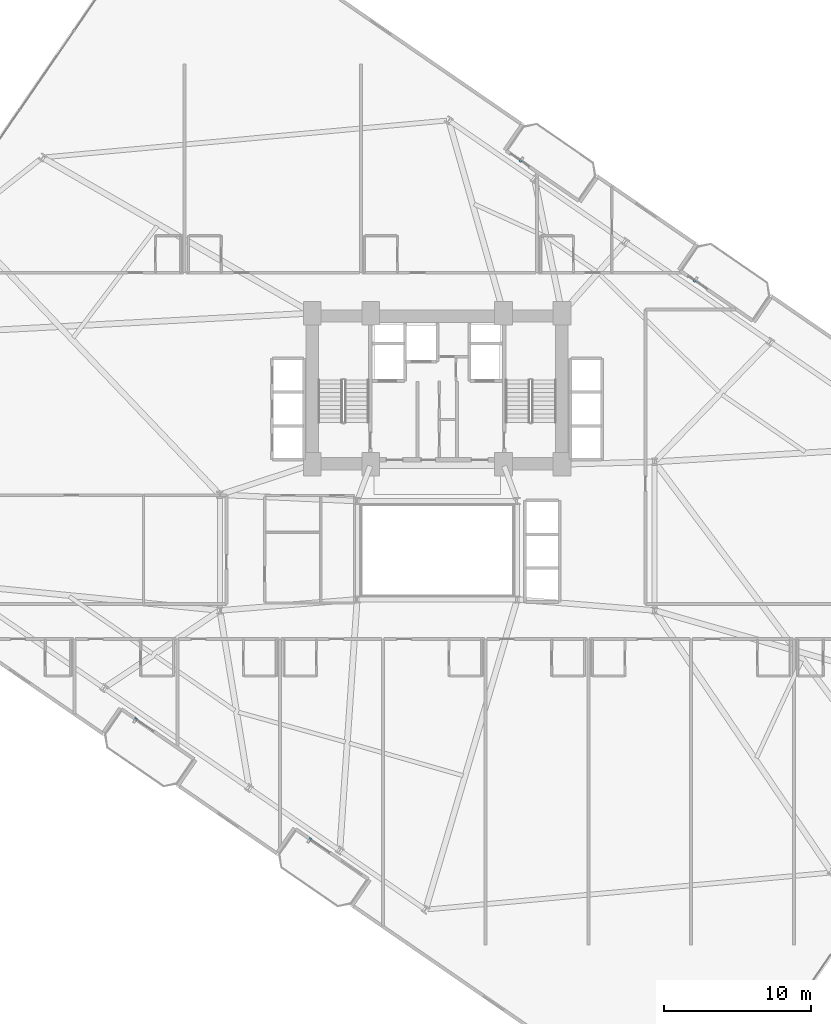
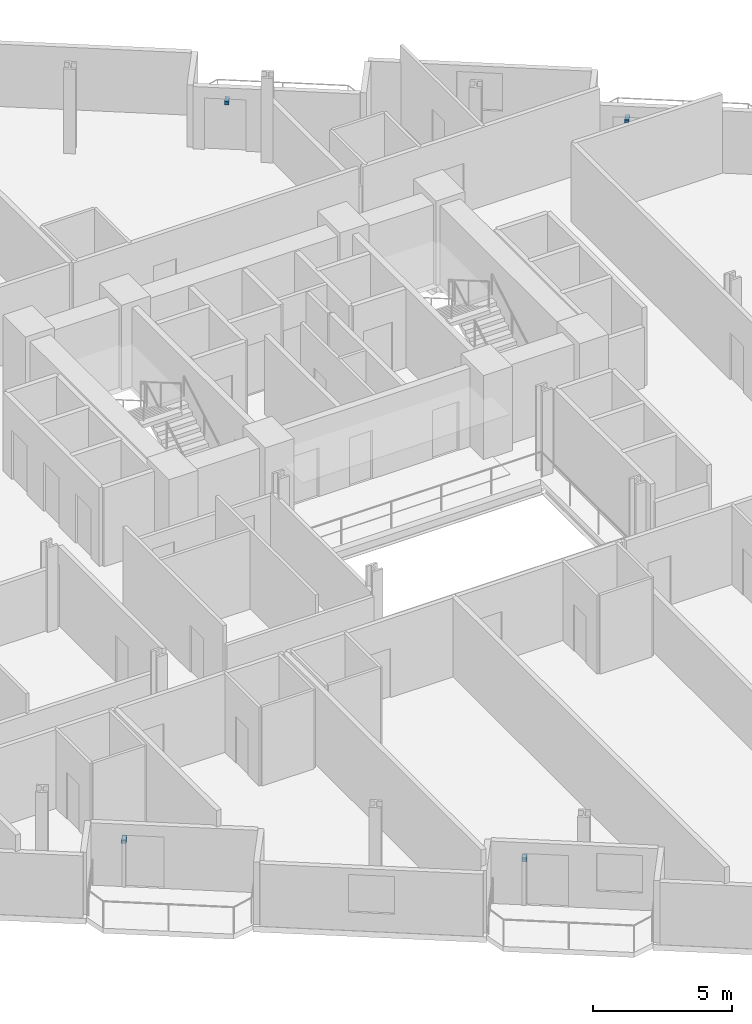
# One storey, part 22 of 25: 4 discrete accessories.
"""IFC4 building model written with IfcOpenShell, lengths in metres."""

from ifc_helpers import new_model, si_unit, direction, frame, origin, origin_2d, place, context, subcontext, project, spatial, rectangle, extrude, source, transform, mapped, material, type_object, element, save


model = new_model("IFC4")

# Units and contexts
model_context = context("Model", 3, precision=1e-05, world=origin(), true_north=direction((0.0, 1.0)))
body_context = subcontext(model_context, "Body", "Model", "MODEL_VIEW")
ifc_project = project(units=[si_unit("LENGTHUNIT", "METRE"), si_unit("AREAUNIT", "SQUARE_METRE"), si_unit("VOLUMEUNIT", "CUBIC_METRE"), si_unit("PLANEANGLEUNIT", "RADIAN"), si_unit("MASSUNIT", "GRAM", prefix="KILO")], contexts=[model_context])

# Site, building, storey
site_placement = place(None, origin())
site = spatial("IfcSite", under=ifc_project, at=site_placement, CompositionType="ELEMENT")
building_placement = place(site_placement, origin())
building = spatial("IfcBuilding", under=site, at=building_placement, Name="Varnelok Gate Tower", CompositionType="ELEMENT")
storey_placement = place(building_placement, frame((0.0, 0.0, 56.60009765625)))
storey = spatial("IfcBuildingStorey", under=building, at=storey_placement, Name="L13", CompositionType="ELEMENT", Elevation=56.60009765625)

# Discrete accessories
ifc_material = material(Name="Structural Steel ASTM A500 Grade C", Category="steel")
discrete_accessory_type = type_object("IfcDiscreteAccessoryType", Name="ACC-BAGUETTE-BRK", PredefinedType="BRACKET", material=ifc_material)
shared_shape = source(origin(), body_context, "Body", "SweptSolid", [
    extrude(rectangle(XDim=0.159912109375, YDim=0.340087890625, at=origin_2d()), origin(), (0.0, 0.0, 1.0), 0.139892578125),
])
for number, where, z_axis, x_axis, name in (
    (1, (18.64453125, 11.32421875, 1.97998046875), (0.0, 0.0, 1.0), (0.823532597628, -0.567268949127, 0.0), "L13 Terracotta Baguette Bracket 1.1"),
    (2, (30.50341796875, 3.155517578125, 1.97998046875), (0.0, 0.0, 1.0), (0.823532597628, -0.567268949127, 0.0), "L13 Terracotta Baguette Bracket 2.1"),
    (3, (44.931884765625, 49.48681640625, 1.97998046875), (0.0, 0.0, 1.0), (0.823532597628, -0.567268949127, 0.0), "L13 Terracotta Baguette Bracket 3.1"),
    (4, (56.790771484375, 41.318115234375, 1.97998046875), (0.0, 0.0, 1.0), (0.823532597628, -0.567268949127, 0.0), "L13 Terracotta Baguette Bracket 4.1"),
):
    element("IfcDiscreteAccessory", number, at=place(storey_placement, frame(where, z_axis=z_axis, x_axis=x_axis)), inside=storey, type_object=discrete_accessory_type, Name=name, PredefinedType="BRACKET", context=body_context, shape_type="MappedRepresentation", body=[
        mapped(shared_shape, transform((0.0, 0.0, 0.0), scale=1.0)),
    ])

save(model, "model.ifc")
